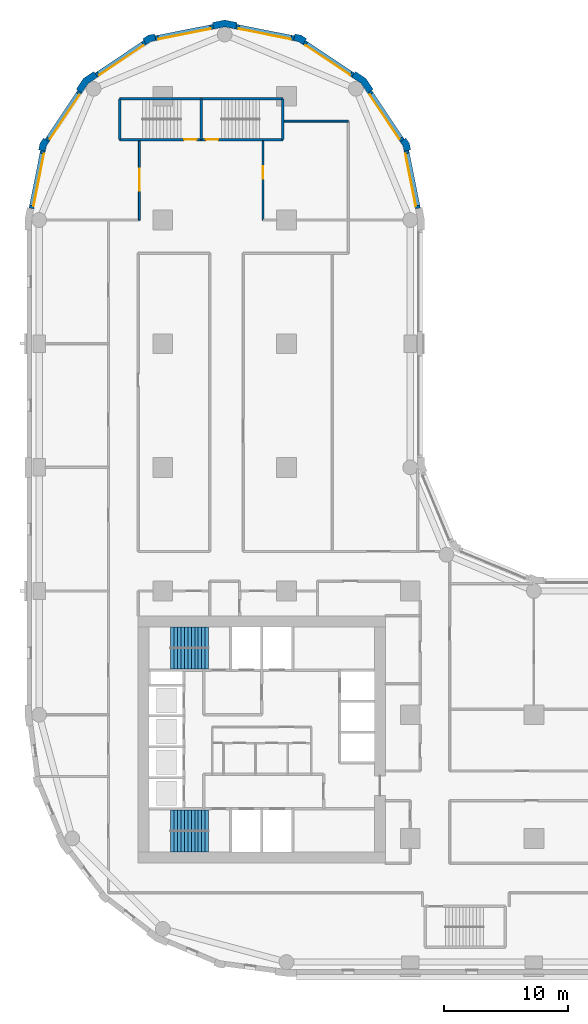
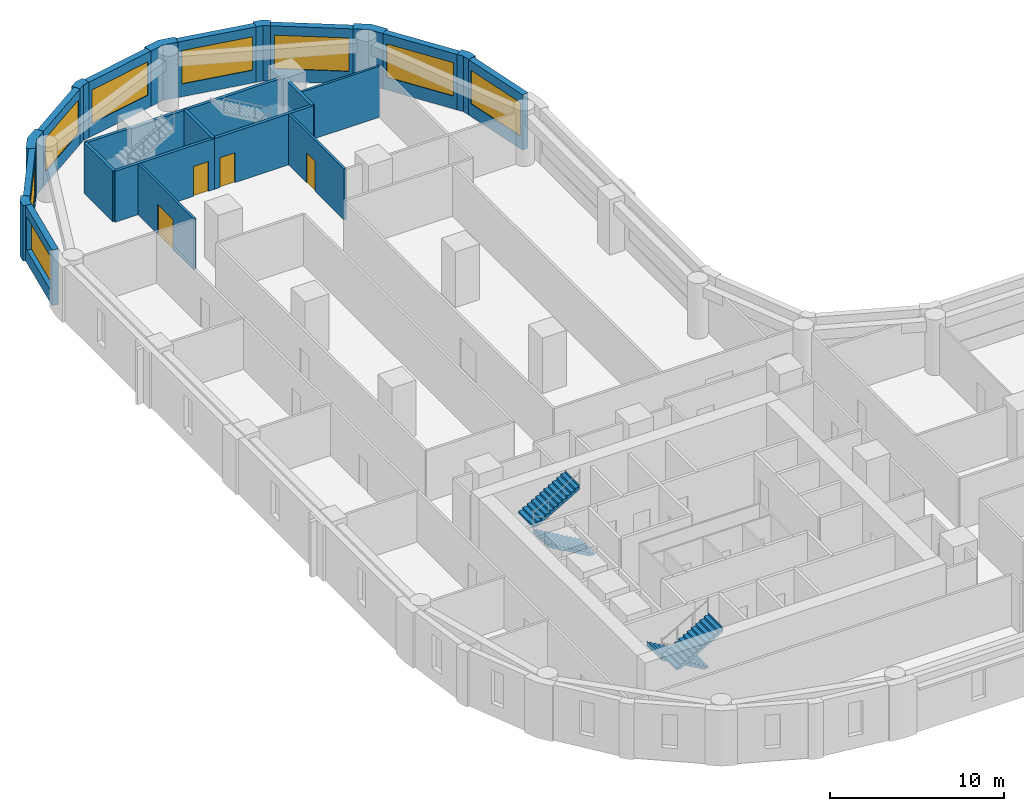
# One storey, part 7 of 10: 25 walls, 8 windows, 4 doors, 4 stair flights, 12 openings, 2 elements without a shape of their own.
"""IFC4 building model written with IfcOpenShell, lengths in metres."""

from ifc_helpers import new_model, si_unit, direction, frame, frame_2d, origin, place, context, subcontext, project, spatial, polyline, rectangle, outline, extrude, material, layer, layer_set, type_object, element, fill, aggregate, save


model = new_model("IFC4")

# Units and contexts
model_context = context("Model", 3, precision=1e-05, world=origin(), true_north=direction((0.0, 1.0)))
body_context = subcontext(model_context, "Body", "Model", "MODEL_VIEW")
ifc_project = project(units=[si_unit("LENGTHUNIT", "METRE"), si_unit("AREAUNIT", "SQUARE_METRE"), si_unit("VOLUMEUNIT", "CUBIC_METRE"), si_unit("PLANEANGLEUNIT", "RADIAN"), si_unit("MASSUNIT", "GRAM", prefix="KILO")], contexts=[model_context])

# Site, building, storey
site_placement = place(None, origin())
site = spatial("IfcSite", under=ifc_project, at=site_placement, CompositionType="ELEMENT")
building_placement = place(site_placement, origin())
building = spatial("IfcBuilding", under=site, at=building_placement, Name="Qaws Garden Tower", CompositionType="ELEMENT")
storey_placement = place(building_placement, frame((0.0, 0.0, 78.300048828125)))
storey = spatial("IfcBuildingStorey", under=building, at=storey_placement, Name="L19", CompositionType="ELEMENT", Elevation=78.300048828125)

# Wall, opening, window
ifc_material_1 = material(Name="Clay facing brick masonry", Category="masonry")
ifc_layer_1 = layer(ifc_material_1, 0.39990234375)
ifc_layer_set_1 = layer_set([ifc_layer_1], Name="Clay facing brick masonry")
wall_type_1 = type_object("IfcWallType", Name="Brick infill wall 400", PredefinedType="SOLIDWALL", material=ifc_layer_set_1)
wall_1_placement = place(storey_placement, frame((30.628662109375, 60.940673828125, 0.0), z_axis=(0.0, 0.0, 1.0), x_axis=(-0.195098533057, 0.98078364709, 0.0)))
wall_1 = element("IfcWall", 1, at=wall_1_placement, inside=storey, type_object=wall_type_1, Name="E-L19-infill-15", PredefinedType="SOLIDWALL", context=body_context, shape_type="SweptSolid", body=[
    extrude(rectangle(XDim=4.752685546875, YDim=0.39990234375, at=frame_2d((2.37646484375, 0.0))), origin(), (0.0, 0.0, 1.0), 3.89990234375),
])
opening_1_placement = place(wall_1_placement, frame((0.226318359375, 0.0, 0.89990234375)))
opening_1 = element("IfcOpeningElement", 2, at=opening_1_placement, cuts=wall_1, Name="Opening W06", PredefinedType="OPENING", context=body_context, shape_type="SweptSolid", body=[
    extrude(rectangle(XDim=4.300048828125, YDim=2.35009765625, at=frame_2d((2.14990234375, 1.175048828125))), frame((0.0, 0.2099609375, 0.0), z_axis=(0.0, -1.0, 0.0), x_axis=(1.0, 0.0, 0.0)), (0.0, 0.0, 1.0), 0.419921875),
])
ifc_material_2 = material(Name="Aluminium framed window, clear glazing", Category="aluminium")
window_type = type_object("IfcWindowType", Name="Ribbon window 4300 x 2350", PartitioningType="DOUBLE_PANEL_VERTICAL", PredefinedType="WINDOW", material=ifc_material_2)
window_1_placement = place(opening_1_placement, origin())
window_1 = element("IfcWindow", 3, at=window_1_placement, inside=storey, type_object=window_type, Name="E-L19-window-15-0", OverallHeight=2.35009765625, OverallWidth=4.300048828125, PartitioningType="SINGLE_PANEL", PredefinedType="WINDOW", context=body_context, shape_type="SweptSolid", body=[
    extrude(rectangle(XDim=4.300048828125, YDim=2.35009765625, at=frame_2d((2.14990234375, 1.175048828125))), frame((0.0, 0.159912109375, 0.0), z_axis=(0.0, -1.0, 0.0), x_axis=(1.0, 0.0, 0.0)), (0.0, 0.0, 1.0), 0.06005859375),
])
fill(opening_1, window_1)

wall_2_placement = place(storey_placement, frame((29.356689453125, 66.43408203125, 0.0), z_axis=(0.0, 0.0, 1.0), x_axis=(-0.555541552266, 0.831488775454, 0.0)))
wall_2 = element("IfcWall", 4, at=wall_2_placement, inside=storey, type_object=wall_type_1, Name="E-L19-infill-16", PredefinedType="SOLIDWALL", context=body_context, shape_type="SweptSolid", body=[
    extrude(rectangle(XDim=4.752685546875, YDim=0.39990234375, at=frame_2d((2.37646484375, 0.0))), origin(), (0.0, 0.0, 1.0), 3.89990234375),
])
opening_2_placement = place(wall_2_placement, frame((0.226318359375, 0.0, 0.89990234375)))
opening_2 = element("IfcOpeningElement", 5, at=opening_2_placement, cuts=wall_2, Name="Opening W06", PredefinedType="OPENING", context=body_context, shape_type="SweptSolid", body=[
    extrude(rectangle(XDim=4.300048828125, YDim=2.35009765625, at=frame_2d((2.14990234375, 1.175048828125))), frame((0.0, 0.2099609375, 0.0), z_axis=(0.0, -1.0, 0.0), x_axis=(1.0, 0.0, 0.0)), (0.0, 0.0, 1.0), 0.419921875),
])
window_2_placement = place(opening_2_placement, origin())
window_2 = element("IfcWindow", 6, at=window_2_placement, inside=storey, type_object=window_type, Name="E-L19-window-16-0", OverallHeight=2.35009765625, OverallWidth=4.300048828125, PartitioningType="SINGLE_PANEL", PredefinedType="WINDOW", context=body_context, shape_type="SweptSolid", body=[
    extrude(rectangle(XDim=4.300048828125, YDim=2.35009765625, at=frame_2d((2.14990234375, 1.175048828125))), frame((0.0, 0.159912109375, 0.0), z_axis=(0.0, -1.0, 0.0), x_axis=(1.0, 0.0, 0.0)), (0.0, 0.0, 1.0), 0.06005859375),
])
fill(opening_2, window_2)

wall_3_placement = place(storey_placement, frame((25.385986328125, 71.71630859375, 0.0), z_axis=(0.0, 0.0, 1.0), x_axis=(-0.831488775454, 0.555541552266, 0.0)))
wall_3 = element("IfcWall", 7, at=wall_3_placement, inside=storey, type_object=wall_type_1, Name="E-L19-infill-17", PredefinedType="SOLIDWALL", context=body_context, shape_type="SweptSolid", body=[
    extrude(rectangle(XDim=4.752685546875, YDim=0.39990234375, at=frame_2d((2.37646484375, 0.0))), origin(), (0.0, 0.0, 1.0), 3.89990234375),
])
opening_3_placement = place(wall_3_placement, frame((0.226318359375, 0.0, 0.89990234375)))
opening_3 = element("IfcOpeningElement", 8, at=opening_3_placement, cuts=wall_3, Name="Opening W06", PredefinedType="OPENING", context=body_context, shape_type="SweptSolid", body=[
    extrude(rectangle(XDim=4.300048828125, YDim=2.35009765625, at=frame_2d((2.14990234375, 1.175048828125))), frame((0.0, 0.2099609375, 0.0), z_axis=(0.0, -1.0, 0.0), x_axis=(1.0, 0.0, 0.0)), (0.0, 0.0, 1.0), 0.419921875),
])
window_3_placement = place(opening_3_placement, origin())
window_3 = element("IfcWindow", 9, at=window_3_placement, inside=storey, type_object=window_type, Name="E-L19-window-17-0", OverallHeight=2.35009765625, OverallWidth=4.300048828125, PartitioningType="SINGLE_PANEL", PredefinedType="WINDOW", context=body_context, shape_type="SweptSolid", body=[
    extrude(rectangle(XDim=4.300048828125, YDim=2.35009765625, at=frame_2d((2.14990234375, 1.175048828125))), frame((0.0, 0.159912109375, 0.0), z_axis=(0.0, -1.0, 0.0), x_axis=(1.0, 0.0, 0.0)), (0.0, 0.0, 1.0), 0.06005859375),
])
fill(opening_3, window_3)

wall_4_placement = place(storey_placement, frame((20.60205078125, 74.701416015625, 0.0), z_axis=(0.0, 0.0, 1.0), x_axis=(-0.98078364709, 0.195098533057, 0.0)))
wall_4 = element("IfcWall", 10, at=wall_4_placement, inside=storey, type_object=wall_type_1, Name="E-L19-infill-18", PredefinedType="SOLIDWALL", context=body_context, shape_type="SweptSolid", body=[
    extrude(rectangle(XDim=4.752685546875, YDim=0.39990234375, at=frame_2d((2.37646484375, 0.0))), origin(), (0.0, 0.0, 1.0), 3.89990234375),
])
opening_4_placement = place(wall_4_placement, frame((0.226318359375, 0.0, 0.89990234375)))
opening_4 = element("IfcOpeningElement", 11, at=opening_4_placement, cuts=wall_4, Name="Opening W06", PredefinedType="OPENING", context=body_context, shape_type="SweptSolid", body=[
    extrude(rectangle(XDim=4.300048828125, YDim=2.35009765625, at=frame_2d((2.14990234375, 1.175048828125))), frame((0.0, 0.2099609375, 0.0), z_axis=(0.0, -1.0, 0.0), x_axis=(1.0, 0.0, 0.0)), (0.0, 0.0, 1.0), 0.419921875),
])
window_4_placement = place(opening_4_placement, origin())
window_4 = element("IfcWindow", 12, at=window_4_placement, inside=storey, type_object=window_type, Name="E-L19-window-18-0", OverallHeight=2.35009765625, OverallWidth=4.300048828125, PartitioningType="SINGLE_PANEL", PredefinedType="WINDOW", context=body_context, shape_type="SweptSolid", body=[
    extrude(rectangle(XDim=4.300048828125, YDim=2.35009765625, at=frame_2d((2.14990234375, 1.175048828125))), frame((0.0, 0.159912109375, 0.0), z_axis=(0.0, -1.0, 0.0), x_axis=(1.0, 0.0, 0.0)), (0.0, 0.0, 1.0), 0.06005859375),
])
fill(opening_4, window_4)

wall_5_placement = place(storey_placement, frame((14.059326171875, 75.628662109375, 0.0), z_axis=(0.0, 0.0, 1.0), x_axis=(-0.98078364709, -0.195098533057, 0.0)))
wall_5 = element("IfcWall", 13, at=wall_5_placement, inside=storey, type_object=wall_type_1, Name="E-L19-infill-19", PredefinedType="SOLIDWALL", context=body_context, shape_type="SweptSolid", body=[
    extrude(rectangle(XDim=4.752685546875, YDim=0.39990234375, at=frame_2d((2.37646484375, 0.0))), origin(), (0.0, 0.0, 1.0), 3.89990234375),
])
opening_5_placement = place(wall_5_placement, frame((0.226318359375, 0.0, 0.89990234375)))
opening_5 = element("IfcOpeningElement", 14, at=opening_5_placement, cuts=wall_5, Name="Opening W06", PredefinedType="OPENING", context=body_context, shape_type="SweptSolid", body=[
    extrude(rectangle(XDim=4.300048828125, YDim=2.35009765625, at=frame_2d((2.14990234375, 1.175048828125))), frame((0.0, 0.2099609375, 0.0), z_axis=(0.0, -1.0, 0.0), x_axis=(1.0, 0.0, 0.0)), (0.0, 0.0, 1.0), 0.419921875),
])
window_5_placement = place(opening_5_placement, origin())
window_5 = element("IfcWindow", 15, at=window_5_placement, inside=storey, type_object=window_type, Name="E-L19-window-19-0", OverallHeight=2.35009765625, OverallWidth=4.300048828125, PartitioningType="SINGLE_PANEL", PredefinedType="WINDOW", context=body_context, shape_type="SweptSolid", body=[
    extrude(rectangle(XDim=4.300048828125, YDim=2.35009765625, at=frame_2d((2.14990234375, 1.175048828125))), frame((0.0, 0.159912109375, 0.0), z_axis=(0.0, -1.0, 0.0), x_axis=(1.0, 0.0, 0.0)), (0.0, 0.0, 1.0), 0.06005859375),
])
fill(opening_5, window_5)

wall_6_placement = place(storey_placement, frame((8.56591796875, 74.356689453125, 0.0), z_axis=(0.0, 0.0, 1.0), x_axis=(-0.831488775454, -0.555541552266, 0.0)))
wall_6 = element("IfcWall", 16, at=wall_6_placement, inside=storey, type_object=wall_type_1, Name="E-L19-infill-20", PredefinedType="SOLIDWALL", context=body_context, shape_type="SweptSolid", body=[
    extrude(rectangle(XDim=4.752685546875, YDim=0.39990234375, at=frame_2d((2.37646484375, 0.0))), origin(), (0.0, 0.0, 1.0), 3.89990234375),
])
opening_6_placement = place(wall_6_placement, frame((0.226318359375, 0.0, 0.89990234375)))
opening_6 = element("IfcOpeningElement", 17, at=opening_6_placement, cuts=wall_6, Name="Opening W06", PredefinedType="OPENING", context=body_context, shape_type="SweptSolid", body=[
    extrude(rectangle(XDim=4.300048828125, YDim=2.35009765625, at=frame_2d((2.14990234375, 1.175048828125))), frame((0.0, 0.2099609375, 0.0), z_axis=(0.0, -1.0, 0.0), x_axis=(1.0, 0.0, 0.0)), (0.0, 0.0, 1.0), 0.419921875),
])
window_6_placement = place(opening_6_placement, origin())
window_6 = element("IfcWindow", 18, at=window_6_placement, inside=storey, type_object=window_type, Name="E-L19-window-20-0", OverallHeight=2.35009765625, OverallWidth=4.300048828125, PartitioningType="SINGLE_PANEL", PredefinedType="WINDOW", context=body_context, shape_type="SweptSolid", body=[
    extrude(rectangle(XDim=4.300048828125, YDim=2.35009765625, at=frame_2d((2.14990234375, 1.175048828125))), frame((0.0, 0.159912109375, 0.0), z_axis=(0.0, -1.0, 0.0), x_axis=(1.0, 0.0, 0.0)), (0.0, 0.0, 1.0), 0.06005859375),
])
fill(opening_6, window_6)

wall_7_placement = place(storey_placement, frame((3.28369140625, 70.385986328125, 0.0), z_axis=(0.0, 0.0, 1.0), x_axis=(-0.555541552266, -0.831488775454, 0.0)))
wall_7 = element("IfcWall", 19, at=wall_7_placement, inside=storey, type_object=wall_type_1, Name="E-L19-infill-21", PredefinedType="SOLIDWALL", context=body_context, shape_type="SweptSolid", body=[
    extrude(rectangle(XDim=4.752685546875, YDim=0.39990234375, at=frame_2d((2.37646484375, 0.0))), origin(), (0.0, 0.0, 1.0), 3.89990234375),
])
opening_7_placement = place(wall_7_placement, frame((0.226318359375, 0.0, 0.89990234375)))
opening_7 = element("IfcOpeningElement", 20, at=opening_7_placement, cuts=wall_7, Name="Opening W06", PredefinedType="OPENING", context=body_context, shape_type="SweptSolid", body=[
    extrude(rectangle(XDim=4.300048828125, YDim=2.35009765625, at=frame_2d((2.14990234375, 1.175048828125))), frame((0.0, 0.2099609375, 0.0), z_axis=(0.0, -1.0, 0.0), x_axis=(1.0, 0.0, 0.0)), (0.0, 0.0, 1.0), 0.419921875),
])
window_7_placement = place(opening_7_placement, origin())
window_7 = element("IfcWindow", 21, at=window_7_placement, inside=storey, type_object=window_type, Name="E-L19-window-21-0", OverallHeight=2.35009765625, OverallWidth=4.300048828125, PartitioningType="SINGLE_PANEL", PredefinedType="WINDOW", context=body_context, shape_type="SweptSolid", body=[
    extrude(rectangle(XDim=4.300048828125, YDim=2.35009765625, at=frame_2d((2.14990234375, 1.175048828125))), frame((0.0, 0.159912109375, 0.0), z_axis=(0.0, -1.0, 0.0), x_axis=(1.0, 0.0, 0.0)), (0.0, 0.0, 1.0), 0.06005859375),
])
fill(opening_7, window_7)

wall_8_placement = place(storey_placement, frame((0.298583984375, 65.60205078125, 0.0), z_axis=(0.0, 0.0, 1.0), x_axis=(-0.195098533057, -0.98078364709, 0.0)))
wall_8 = element("IfcWall", 22, at=wall_8_placement, inside=storey, type_object=wall_type_1, Name="E-L19-infill-22", PredefinedType="SOLIDWALL", context=body_context, shape_type="SweptSolid", body=[
    extrude(rectangle(XDim=4.752685546875, YDim=0.39990234375, at=frame_2d((2.37646484375, 0.0))), origin(), (0.0, 0.0, 1.0), 3.89990234375),
])
opening_8_placement = place(wall_8_placement, frame((0.226318359375, 0.0, 0.89990234375)))
opening_8 = element("IfcOpeningElement", 23, at=opening_8_placement, cuts=wall_8, Name="Opening W06", PredefinedType="OPENING", context=body_context, shape_type="SweptSolid", body=[
    extrude(rectangle(XDim=4.300048828125, YDim=2.35009765625, at=frame_2d((2.14990234375, 1.175048828125))), frame((0.0, 0.2099609375, 0.0), z_axis=(0.0, -1.0, 0.0), x_axis=(1.0, 0.0, 0.0)), (0.0, 0.0, 1.0), 0.419921875),
])
window_8_placement = place(opening_8_placement, origin())
window_8 = element("IfcWindow", 24, at=window_8_placement, inside=storey, type_object=window_type, Name="E-L19-window-22-0", OverallHeight=2.35009765625, OverallWidth=4.300048828125, PartitioningType="SINGLE_PANEL", PredefinedType="WINDOW", context=body_context, shape_type="SweptSolid", body=[
    extrude(rectangle(XDim=4.300048828125, YDim=2.35009765625, at=frame_2d((2.14990234375, 1.175048828125))), frame((0.0, 0.159912109375, 0.0), z_axis=(0.0, -1.0, 0.0), x_axis=(1.0, 0.0, 0.0)), (0.0, 0.0, 1.0), 0.06005859375),
])
fill(opening_8, window_8)

# Walls
ifc_material_3 = material(Name="Clay facing brick masonry", Category="masonry")
ifc_layer_2 = layer(ifc_material_3, 0.550048828125)
ifc_layer_set_2 = layer_set([ifc_layer_2], Name="Clay facing brick masonry")
wall_type_2 = type_object("IfcWallType", Name="Brick kink pier 550 x 600", PredefinedType="SOLIDWALL", material=ifc_layer_set_2)
placement = place(storey_placement, origin())
element("IfcWall", 25, at=placement, inside=storey, type_object=wall_type_2, Name="E-L19-pier-16", PredefinedType="SOLIDWALL", context=body_context, shape_type="SweptSolid", body=[
    extrude(outline(polyline([(29.8974609375, 65.64111328125), (30.044677734375, 65.67041015625), (29.94140625, 66.18896484375), (29.647705078125, 66.628662109375), (29.52294921875, 66.545166015625), (29.1904296875, 66.322998046875), (29.42333984375, 65.974365234375), (29.505126953125, 65.56298828125), (29.8974609375, 65.64111328125)])), origin(), (0.0, 0.0, 1.0), 3.89990234375),
])
element("IfcWall", 26, at=placement, inside=storey, type_object=wall_type_2, Name="E-L19-pier-18", PredefinedType="SOLIDWALL", context=body_context, shape_type="SweptSolid", body=[
    extrude(outline(polyline([(21.545166015625, 74.52294921875), (21.628662109375, 74.647705078125), (21.18896484375, 74.94140625), (20.67041015625, 75.044677734375), (20.64111328125, 74.8974609375), (20.56298828125, 74.505126953125), (20.974365234375, 74.42333984375), (21.322998046875, 74.1904296875), (21.545166015625, 74.52294921875)])), origin(), (0.0, 0.0, 1.0), 3.89990234375),
])
element("IfcWall", 27, at=placement, inside=storey, type_object=wall_type_2, Name="E-L19-pier-20", PredefinedType="SOLIDWALL", context=body_context, shape_type="SweptSolid", body=[
    extrude(outline(polyline([(9.35888671875, 74.8974609375), (9.32958984375, 75.044677734375), (8.81103515625, 74.94140625), (8.371337890625, 74.647705078125), (8.454833984375, 74.52294921875), (8.677001953125, 74.1904296875), (9.025634765625, 74.42333984375), (9.43701171875, 74.505126953125), (9.35888671875, 74.8974609375)])), origin(), (0.0, 0.0, 1.0), 3.89990234375),
])
element("IfcWall", 28, at=placement, inside=storey, type_object=wall_type_2, Name="E-L19-pier-22", PredefinedType="SOLIDWALL", context=body_context, shape_type="SweptSolid", body=[
    extrude(outline(polyline([(0.47705078125, 66.545166015625), (0.352294921875, 66.628662109375), (0.05859375, 66.18896484375), (-0.044677734375, 65.67041015625), (0.1025390625, 65.64111328125), (0.494873046875, 65.56298828125), (0.57666015625, 65.974365234375), (0.8095703125, 66.322998046875), (0.47705078125, 66.545166015625)])), origin(), (0.0, 0.0, 1.0), 3.89990234375),
])
ifc_material_4 = material(Name="Clay facing brick masonry", Category="masonry")
ifc_layer_3 = layer(ifc_material_4, 0.550048828125)
ifc_layer_set_3 = layer_set([ifc_layer_3], Name="Clay facing brick masonry")
wall_type_3 = type_object("IfcWallType", Name="Brick pier 550 x 1600", PredefinedType="SOLIDWALL", material=ifc_layer_set_3)
element("IfcWall", 29, at=placement, inside=storey, type_object=wall_type_3, Name="E-L19-pier-17", PredefinedType="SOLIDWALL", context=body_context, shape_type="SweptSolid", body=[
    extrude(outline(polyline([(26.882568359375, 70.4970703125), (27.00732421875, 70.580322265625), (26.435791015625, 71.435791015625), (25.580322265625, 72.00732421875), (25.4970703125, 71.882568359375), (25.274658203125, 71.550048828125), (26.0390625, 71.0390625), (26.550048828125, 70.274658203125), (26.882568359375, 70.4970703125)])), origin(), (0.0, 0.0, 1.0), 3.89990234375),
])
element("IfcWall", 30, at=placement, inside=storey, type_object=wall_type_3, Name="E-L19-pier-19", PredefinedType="SOLIDWALL", context=body_context, shape_type="SweptSolid", body=[
    extrude(outline(polyline([(15.979736328125, 75.82470703125), (16.009033203125, 75.971923828125), (15.0, 76.172607421875), (13.990966796875, 75.971923828125), (14.020263671875, 75.82470703125), (14.098388671875, 75.432373046875), (15.0, 75.61181640625), (15.901611328125, 75.432373046875), (15.979736328125, 75.82470703125)])), origin(), (0.0, 0.0, 1.0), 3.89990234375),
])
element("IfcWall", 31, at=placement, inside=storey, type_object=wall_type_3, Name="E-L19-pier-21", PredefinedType="SOLIDWALL", context=body_context, shape_type="SweptSolid", body=[
    extrude(outline(polyline([(4.5029296875, 71.882568359375), (4.419677734375, 72.00732421875), (3.564208984375, 71.435791015625), (2.99267578125, 70.580322265625), (3.117431640625, 70.4970703125), (3.449951171875, 70.274658203125), (3.9609375, 71.0390625), (4.725341796875, 71.550048828125), (4.5029296875, 71.882568359375)])), origin(), (0.0, 0.0, 1.0), 3.89990234375),
])

# Wall, opening, door
ifc_material_5 = material(Name="Concrete C80", Category="concrete")
ifc_layer_4 = layer(ifc_material_5, 0.199951171875)
ifc_layer_set_4 = layer_set([ifc_layer_4], Name="Concrete C80")
wall_type_4 = type_object("IfcWallType", Name="Core shaft wall 200 C80", PredefinedType="SHEAR", material=ifc_layer_set_4)
wall_16_placement = place(storey_placement, frame((6.5, 66.5, 0.0), z_axis=(0.0, 0.0, 1.0), x_axis=(1.0, 0.0, 0.0)))
wall_16 = element("IfcWall", 32, at=wall_16_placement, inside=storey, type_object=wall_type_4, Name="Shaft wall", PredefinedType="SHEAR", context=body_context, shape_type="SweptSolid", body=[
    extrude(rectangle(XDim=6.60009765625, YDim=0.199951171875, at=frame_2d((3.300048828125, 0.0))), origin(), (0.0, 0.0, 1.0), 3.579833984375),
])
opening_9_placement = place(wall_16_placement, frame((5.22509765625, 0.0, 0.0)))
opening_9 = element("IfcOpeningElement", 33, at=opening_9_placement, cuts=wall_16, Name="Opening SD13", PredefinedType="OPENING", context=body_context, shape_type="SweptSolid", body=[
    extrude(rectangle(XDim=1.0, YDim=2.10009765625, at=frame_2d((0.5, 1.050048828125))), frame((0.0, 0.10986328125, 0.0), z_axis=(0.0, -1.0, 0.0), x_axis=(1.0, 0.0, 0.0)), (0.0, 0.0, 1.0), 0.219970703125),
])
ifc_material_6 = material(Name="Steel S235", Category="steel")
door_type_1 = type_object("IfcDoorType", Name="Stair door 1000x2100", OperationType="SINGLE_SWING_RIGHT", PredefinedType="DOOR", material=ifc_material_6)
door_1_placement = place(opening_9_placement, origin())
door_1 = element("IfcDoor", 34, at=door_1_placement, inside=storey, type_object=door_type_1, Name="Stair 6 door", OperationType="SINGLE_SWING_RIGHT", OverallHeight=2.10009765625, OverallWidth=1.0, PredefinedType="DOOR", context=body_context, shape_type="SweptSolid", body=[
    extrude(rectangle(XDim=1.0, YDim=2.10009765625, at=frame_2d((0.5, 1.050048828125))), frame((0.0, 0.02490234375, 0.0), z_axis=(0.0, -1.0, 0.0), x_axis=(1.0, 0.0, 0.0)), (0.0, 0.0, 1.0), 0.050048828125),
])
fill(opening_9, door_1)

wall_17_placement = place(storey_placement, frame((13.10009765625, 66.5, 0.0), z_axis=(0.0, 0.0, 1.0), x_axis=(1.0, 0.0, 0.0)))
wall_17 = element("IfcWall", 35, at=wall_17_placement, inside=storey, type_object=wall_type_4, Name="Shaft wall", PredefinedType="SHEAR", context=body_context, shape_type="SweptSolid", body=[
    extrude(rectangle(XDim=6.599853515625, YDim=0.199951171875, at=frame_2d((3.2998046875, 0.0))), origin(), (0.0, 0.0, 1.0), 3.579833984375),
])
opening_10_placement = place(wall_17_placement, frame((0.375, 0.0, 0.0)))
opening_10 = element("IfcOpeningElement", 36, at=opening_10_placement, cuts=wall_17, Name="Opening SD14", PredefinedType="OPENING", context=body_context, shape_type="SweptSolid", body=[
    extrude(rectangle(XDim=1.0, YDim=2.10009765625, at=frame_2d((0.5, 1.050048828125))), frame((0.0, 0.10986328125, 0.0), z_axis=(0.0, -1.0, 0.0), x_axis=(1.0, 0.0, 0.0)), (0.0, 0.0, 1.0), 0.219970703125),
])
door_2_placement = place(opening_10_placement, origin())
door_2 = element("IfcDoor", 37, at=door_2_placement, inside=storey, type_object=door_type_1, Name="Stair 7 door", OperationType="SINGLE_SWING_LEFT", OverallHeight=2.10009765625, OverallWidth=1.0, PredefinedType="DOOR", context=body_context, shape_type="SweptSolid", body=[
    extrude(rectangle(XDim=1.0, YDim=2.10009765625, at=frame_2d((0.5, 1.050048828125))), frame((0.0, 0.02490234375, 0.0), z_axis=(0.0, -1.0, 0.0), x_axis=(1.0, 0.0, 0.0)), (0.0, 0.0, 1.0), 0.050048828125),
])
fill(opening_10, door_2)

# Walls
wall_18_placement = place(storey_placement, frame((6.5, 69.800048828125, 0.0), z_axis=(0.0, 0.0, 1.0), x_axis=(1.0, 0.0, 0.0)))
element("IfcWall", 38, at=wall_18_placement, inside=storey, type_object=wall_type_4, Name="Shaft wall", PredefinedType="SHEAR", context=body_context, shape_type="SweptSolid", body=[
    extrude(rectangle(XDim=6.60009765625, YDim=0.199951171875, at=frame_2d((3.300048828125, 0.0))), origin(), (0.0, 0.0, 1.0), 3.579833984375),
])
wall_19_placement = place(storey_placement, frame((13.10009765625, 69.800048828125, 0.0), z_axis=(0.0, 0.0, 1.0), x_axis=(1.0, 0.0, 0.0)))
element("IfcWall", 39, at=wall_19_placement, inside=storey, type_object=wall_type_4, Name="Shaft wall", PredefinedType="SHEAR", context=body_context, shape_type="SweptSolid", body=[
    extrude(rectangle(XDim=6.599853515625, YDim=0.199951171875, at=frame_2d((3.2998046875, 0.0))), origin(), (0.0, 0.0, 1.0), 3.579833984375),
])
for number, where, z_axis, x_axis, name in (
    (40, (6.5, 66.5, 0.0), (0.0, 0.0, 1.0), (0.0, 1.0, 0.0), "Shaft wall"),
    (41, (13.10009765625, 66.5, 0.0), (0.0, 0.0, 1.0), (0.0, 1.0, 0.0), "Shaft wall"),
    (42, (19.699951171875, 66.5, 0.0), (0.0, 0.0, 1.0), (0.0, 1.0, 0.0), "Shaft wall"),
):
    element("IfcWall", number, at=place(storey_placement, frame(where, z_axis=z_axis, x_axis=x_axis)), inside=storey, type_object=wall_type_4, Name=name, PredefinedType="SHEAR", context=body_context, shape_type="SweptSolid", body=[
        extrude(rectangle(XDim=3.300048828125, YDim=0.199951171875, at=frame_2d((1.64990234375, 0.0))), origin(), (0.0, 0.0, 1.0), 3.579833984375),
    ])

# Wall, opening, door
ifc_material_7 = material(Name="Gypsum board partition")
ifc_layer_5 = layer(ifc_material_7, 0.14990234375)
ifc_layer_set_5 = layer_set([ifc_layer_5], Name="Gypsum board partition")
wall_type_5 = type_object("IfcWallType", Name="PARTITION 150 EI 60", PredefinedType="PARTITIONING", material=ifc_layer_set_5)
wall_20_placement = place(storey_placement, frame((8.10009765625, 60.0, 0.0), z_axis=(0.0, 0.0, 1.0), x_axis=(0.0, 1.0, 0.0)))
wall_20 = element("IfcWall", 43, at=wall_20_placement, inside=storey, type_object=wall_type_5, Name="O-L19-wall-007", PredefinedType="PARTITIONING", context=body_context, shape_type="SweptSolid", body=[
    extrude(rectangle(XDim=6.39990234375, YDim=0.14990234375, at=frame_2d((3.199951171875, 0.0))), origin(), (0.0, 0.0, 1.0), 3.579833984375),
])
opening_11_placement = place(wall_20_placement, frame((2.35009765625, 0.0, 0.0)))
opening_11 = element("IfcOpeningElement", 44, at=opening_11_placement, cuts=wall_20, Name="Opening A616", PredefinedType="OPENING", context=body_context, shape_type="SweptSolid", body=[
    extrude(rectangle(XDim=1.800048828125, YDim=2.10009765625, at=frame_2d((0.89990234375, 1.050048828125))), frame((0.0, 0.0849609375, 0.0), z_axis=(0.0, -1.0, 0.0), x_axis=(1.0, 0.0, 0.0)), (0.0, 0.0, 1.0), 0.169921875),
])
ifc_material_8 = material(Name="Timber door leaf", Category="wood")
door_type_2 = type_object("IfcDoorType", Name="DOUBLE DOOR 1800 X 2100", OperationType="DOUBLE_DOOR_SINGLE_SWING", PredefinedType="DOOR", material=ifc_material_8)
door_3_placement = place(opening_11_placement, origin())
door_3 = element("IfcDoor", 45, at=door_3_placement, inside=storey, type_object=door_type_2, Name="O-L19-door-016", OperationType="DOUBLE_DOOR_SINGLE_SWING", OverallHeight=2.10009765625, OverallWidth=1.800048828125, PredefinedType="DOOR", context=body_context, shape_type="SweptSolid", body=[
    extrude(rectangle(XDim=1.800048828125, YDim=2.10009765625, at=frame_2d((0.89990234375, 1.050048828125))), frame((0.0, 0.02490234375, 0.0), z_axis=(0.0, -1.0, 0.0), x_axis=(1.0, 0.0, 0.0)), (0.0, 0.0, 1.0), 0.050048828125),
])
fill(opening_11, door_3)

wall_21_placement = place(storey_placement, frame((18.10009765625, 60.0, 0.0), z_axis=(0.0, 0.0, 1.0), x_axis=(0.0, 1.0, 0.0)))
wall_21 = element("IfcWall", 46, at=wall_21_placement, inside=storey, type_object=wall_type_5, Name="O-L19-wall-012", PredefinedType="PARTITIONING", context=body_context, shape_type="SweptSolid", body=[
    extrude(rectangle(XDim=6.39990234375, YDim=0.14990234375, at=frame_2d((3.199951171875, 0.0))), origin(), (0.0, 0.0, 1.0), 3.579833984375),
])
opening_12_placement = place(wall_21_placement, frame((3.35009765625, 0.0, 0.0)))
opening_12 = element("IfcOpeningElement", 47, at=opening_12_placement, cuts=wall_21, Name="Opening A617", PredefinedType="OPENING", context=body_context, shape_type="SweptSolid", body=[
    extrude(rectangle(XDim=1.0, YDim=2.10009765625, at=frame_2d((0.5, 1.050048828125))), frame((0.0, 0.0849609375, 0.0), z_axis=(0.0, -1.0, 0.0), x_axis=(1.0, 0.0, 0.0)), (0.0, 0.0, 1.0), 0.169921875),
])
ifc_material_9 = material(Name="Timber door leaf", Category="wood")
door_type_3 = type_object("IfcDoorType", Name="TENANCY ENTRANCE DOOR 1000 X 2100", OperationType="SINGLE_SWING_LEFT", PredefinedType="DOOR", material=ifc_material_9)
door_4_placement = place(opening_12_placement, frame((1.0, 0.0, 0.0), z_axis=(0.0, 0.0, 1.0), x_axis=(-1.0, 0.0, 0.0)))
door_4 = element("IfcDoor", 48, at=door_4_placement, inside=storey, type_object=door_type_3, Name="O-L19-door-017", OperationType="SINGLE_SWING_RIGHT", OverallHeight=2.10009765625, OverallWidth=1.0, PredefinedType="DOOR", context=body_context, shape_type="SweptSolid", body=[
    extrude(rectangle(XDim=1.0, YDim=2.10009765625, at=frame_2d((0.5, 1.050048828125))), frame((0.0, 0.02490234375, 0.0), z_axis=(0.0, -1.0, 0.0), x_axis=(1.0, 0.0, 0.0)), (0.0, 0.0, 1.0), 0.050048828125),
])
fill(opening_12, door_4)

# Wall
wall_22_placement = place(storey_placement, frame((19.800048828125, 68.0, 0.0), z_axis=(0.0, 0.0, 1.0), x_axis=(1.0, 0.0, 0.0)))
element("IfcWall", 49, at=wall_22_placement, inside=storey, type_object=wall_type_5, Name="O-L19-wall-065", PredefinedType="PARTITIONING", context=body_context, shape_type="SweptSolid", body=[
    extrude(rectangle(XDim=5.199951171875, YDim=0.14990234375, at=frame_2d((2.60009765625, 0.0))), origin(), (0.0, 0.0, 1.0), 3.579833984375),
])

# Stair, stair flights
ifc_material_10 = material(Name="Concrete C40", Category="concrete")
stair_type = type_object("IfcStairType", Name="Exit stair 1500", PredefinedType="HALF_TURN_STAIR", material=ifc_material_10)
stair_1 = element("IfcStair", 50, at=placement, inside=storey, type_object=stair_type, Name="Stair 1", PredefinedType="HALF_TURN_STAIR")
ifc_material_11 = material(Name="Concrete C40", Category="concrete")
stair_flight_type = type_object("IfcStairFlightType", Name="Stair flight 1500", PredefinedType="STRAIGHT", material=ifc_material_11)
stair_flight_1_placement = place(storey_placement, frame((13.699951171875, 11.449951171875, 0.0), z_axis=(0.0, 0.0, 1.0), x_axis=(-1.0, 0.0, 0.0)))
stair_flight_1 = element("IfcStairFlight", 51, at=stair_flight_1_placement, type_object=stair_flight_type, Name="ST1 flight 1", NumberOfRisers=12, NumberOfTreads=11, PredefinedType="STRAIGHT", RiserHeight=0.1625, TreadLength=0.28, context=body_context, shape_type="SweptSolid", body=[
    extrude(outline(polyline([(-0.0029296875, 0.0), (-0.0029296875, 0.16259765625), (0.0, 0.16259765625), (0.280029296875, 0.16259765625), (0.280029296875, 0.324951171875), (0.56005859375, 0.324951171875), (0.56005859375, 0.487548828125), (0.840087890625, 0.487548828125), (0.840087890625, 0.64990234375), (1.1201171875, 0.64990234375), (1.1201171875, 0.8125), (1.39990234375, 0.8125), (1.39990234375, 0.97509765625), (1.679931640625, 0.97509765625), (1.679931640625, 1.137451171875), (1.9599609375, 1.137451171875), (1.9599609375, 1.300048828125), (2.239990234375, 1.300048828125), (2.239990234375, 1.46240234375), (2.52001953125, 1.46240234375), (2.52001953125, 1.625), (2.800048828125, 1.625), (2.800048828125, 1.78759765625), (3.080078125, 1.78759765625), (3.080078125, 1.949951171875), (3.0830078125, 1.949951171875), (3.0830078125, 1.6142578125), (3.080078125, 1.6142578125), (0.298583984375, 0.0), (-0.0029296875, 0.0)])), frame((0.0, 0.85009765625, 0.0), z_axis=(0.0, -1.0, 0.0), x_axis=(1.0, 0.0, 0.0)), (0.0, 0.0, 1.0), 1.699951171875),
])
stair_flight_2_placement = place(storey_placement, frame((10.6201171875, 9.75, 1.949951171875), z_axis=(0.0, 0.0, 1.0), x_axis=(1.0, 0.0, 0.0)))
stair_flight_2 = element("IfcStairFlight", 52, at=stair_flight_2_placement, type_object=stair_flight_type, Name="ST1 flight 2", NumberOfRisers=12, NumberOfTreads=11, PredefinedType="STRAIGHT", RiserHeight=0.1625, TreadLength=0.28, context=body_context, shape_type="SweptSolid", body=[
    extrude(outline(polyline([(-0.0029296875, 0.0), (-0.0029296875, 0.16259765625), (0.0, 0.16259765625), (0.280029296875, 0.16259765625), (0.280029296875, 0.324951171875), (0.56005859375, 0.324951171875), (0.56005859375, 0.487548828125), (0.840087890625, 0.487548828125), (0.840087890625, 0.64990234375), (1.1201171875, 0.64990234375), (1.1201171875, 0.8125), (1.39990234375, 0.8125), (1.39990234375, 0.97509765625), (1.679931640625, 0.97509765625), (1.679931640625, 1.137451171875), (1.9599609375, 1.137451171875), (1.9599609375, 1.300048828125), (2.239990234375, 1.300048828125), (2.239990234375, 1.46240234375), (2.52001953125, 1.46240234375), (2.52001953125, 1.625), (2.800048828125, 1.625), (2.800048828125, 1.78759765625), (3.080078125, 1.78759765625), (3.080078125, 1.949951171875), (3.0830078125, 1.949951171875), (3.0830078125, 1.6142578125), (3.080078125, 1.6142578125), (0.298583984375, 0.0), (-0.0029296875, 0.0)])), frame((0.0, 0.85009765625, 0.0), z_axis=(0.0, -1.0, 0.0), x_axis=(1.0, 0.0, 0.0)), (0.0, 0.0, 1.0), 1.699951171875),
])
aggregate(stair_1, [stair_flight_1, stair_flight_2])

stair_2 = element("IfcStair", 53, at=placement, inside=storey, type_object=stair_type, Name="Stair 4", PredefinedType="HALF_TURN_STAIR")
stair_flight_3_placement = place(storey_placement, frame((13.699951171875, 24.550048828125, 0.0), z_axis=(0.0, 0.0, 1.0), x_axis=(-1.0, 0.0, 0.0)))
stair_flight_3 = element("IfcStairFlight", 54, at=stair_flight_3_placement, type_object=stair_flight_type, Name="ST4 flight 1", NumberOfRisers=12, NumberOfTreads=11, PredefinedType="STRAIGHT", RiserHeight=0.1625, TreadLength=0.28, context=body_context, shape_type="SweptSolid", body=[
    extrude(outline(polyline([(-0.0029296875, 0.0), (-0.0029296875, 0.16259765625), (0.0, 0.16259765625), (0.280029296875, 0.16259765625), (0.280029296875, 0.324951171875), (0.56005859375, 0.324951171875), (0.56005859375, 0.487548828125), (0.840087890625, 0.487548828125), (0.840087890625, 0.64990234375), (1.1201171875, 0.64990234375), (1.1201171875, 0.8125), (1.39990234375, 0.8125), (1.39990234375, 0.97509765625), (1.679931640625, 0.97509765625), (1.679931640625, 1.137451171875), (1.9599609375, 1.137451171875), (1.9599609375, 1.300048828125), (2.239990234375, 1.300048828125), (2.239990234375, 1.46240234375), (2.52001953125, 1.46240234375), (2.52001953125, 1.625), (2.800048828125, 1.625), (2.800048828125, 1.78759765625), (3.080078125, 1.78759765625), (3.080078125, 1.949951171875), (3.0830078125, 1.949951171875), (3.0830078125, 1.6142578125), (3.080078125, 1.6142578125), (0.298583984375, 0.0), (-0.0029296875, 0.0)])), frame((0.0, 0.844970703125, 0.0), z_axis=(0.0, -1.0, 0.0), x_axis=(1.0, 0.0, 0.0)), (0.0, 0.0, 1.0), 1.68994140625),
])
stair_flight_4_placement = place(storey_placement, frame((10.6201171875, 26.25, 1.949951171875), z_axis=(0.0, 0.0, 1.0), x_axis=(1.0, 0.0, 0.0)))
stair_flight_4 = element("IfcStairFlight", 55, at=stair_flight_4_placement, type_object=stair_flight_type, Name="ST4 flight 2", NumberOfRisers=12, NumberOfTreads=11, PredefinedType="STRAIGHT", RiserHeight=0.1625, TreadLength=0.28, context=body_context, shape_type="SweptSolid", body=[
    extrude(outline(polyline([(-0.0029296875, 0.0), (-0.0029296875, 0.16259765625), (0.0, 0.16259765625), (0.280029296875, 0.16259765625), (0.280029296875, 0.324951171875), (0.56005859375, 0.324951171875), (0.56005859375, 0.487548828125), (0.840087890625, 0.487548828125), (0.840087890625, 0.64990234375), (1.1201171875, 0.64990234375), (1.1201171875, 0.8125), (1.39990234375, 0.8125), (1.39990234375, 0.97509765625), (1.679931640625, 0.97509765625), (1.679931640625, 1.137451171875), (1.9599609375, 1.137451171875), (1.9599609375, 1.300048828125), (2.239990234375, 1.300048828125), (2.239990234375, 1.46240234375), (2.52001953125, 1.46240234375), (2.52001953125, 1.625), (2.800048828125, 1.625), (2.800048828125, 1.78759765625), (3.080078125, 1.78759765625), (3.080078125, 1.949951171875), (3.0830078125, 1.949951171875), (3.0830078125, 1.6142578125), (3.080078125, 1.6142578125), (0.298583984375, 0.0), (-0.0029296875, 0.0)])), frame((0.0, 0.844970703125, 0.0), z_axis=(0.0, -1.0, 0.0), x_axis=(1.0, 0.0, 0.0)), (0.0, 0.0, 1.0), 1.68994140625),
])
aggregate(stair_2, [stair_flight_3, stair_flight_4])

save(model, "model.ifc")
